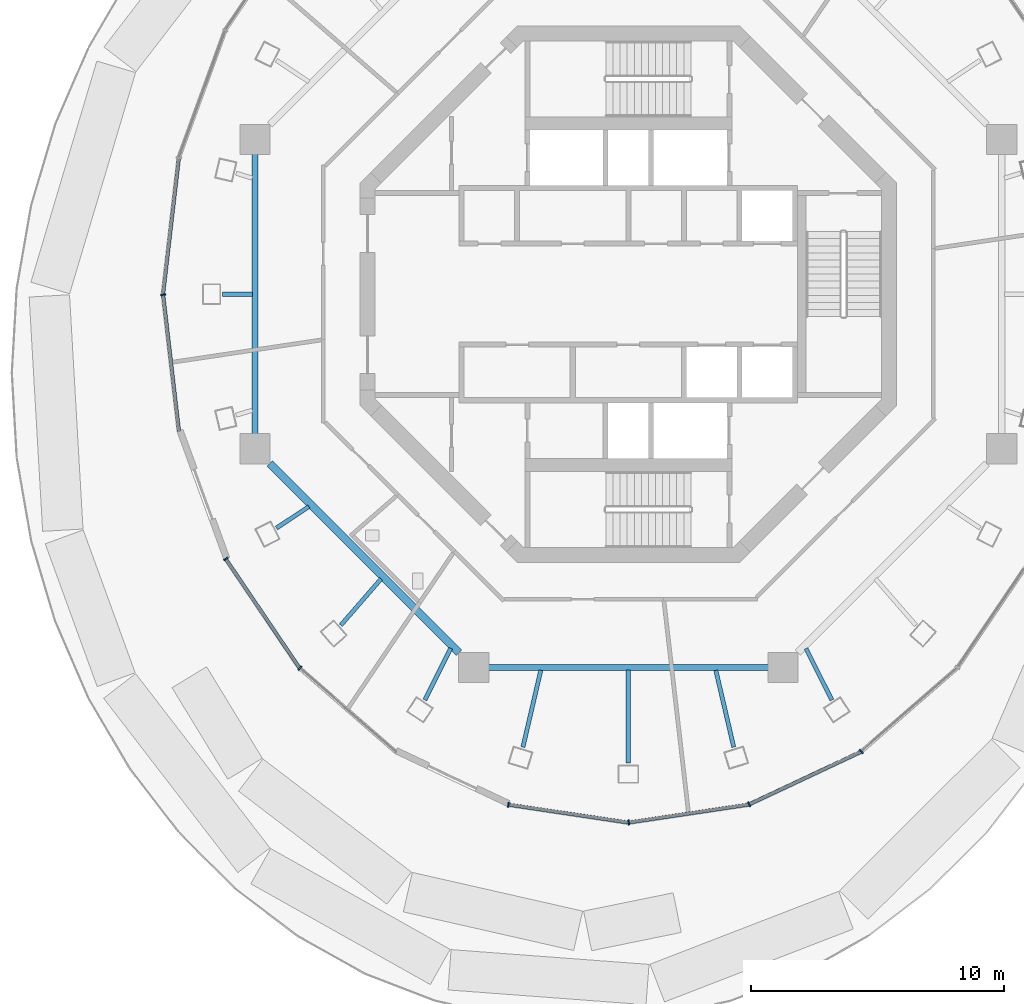
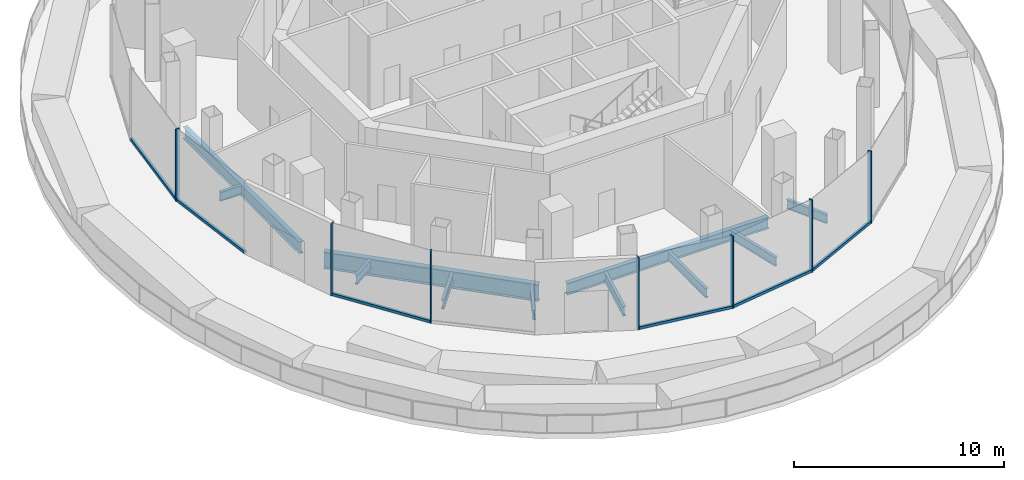
# One storey, part 2 of 12: 13 members, 11 beams, 8 elements without a shape of their own.
"""IFC4 building model written with IfcOpenShell, lengths in metres."""

from ifc_helpers import new_model, si_unit, direction, frame, origin, origin_2d, place, context, subcontext, project, spatial, rectangle, i_section, extrude, material, layer, layer_set, material_profile, profile_set, type_object, element, aggregate, save


model = new_model("IFC4")

# Units and contexts
model_context = context("Model", 3, precision=1e-05, world=origin(), true_north=direction((0.0, 1.0)))
body_context = subcontext(model_context, "Body", "Model", "MODEL_VIEW")
ifc_project = project(units=[si_unit("LENGTHUNIT", "METRE"), si_unit("AREAUNIT", "SQUARE_METRE"), si_unit("VOLUMEUNIT", "CUBIC_METRE"), si_unit("PLANEANGLEUNIT", "RADIAN"), si_unit("MASSUNIT", "GRAM", prefix="KILO")], contexts=[model_context])

# Site, building, storey
site_placement = place(None, origin())
site = spatial("IfcSite", under=ifc_project, at=site_placement, CompositionType="ELEMENT")
building_placement = place(site_placement, origin())
building = spatial("IfcBuilding", under=site, at=building_placement, Name="Nagisa Residences", CompositionType="ELEMENT")
storey_placement = place(building_placement, frame((0.0, 0.0, 315.89990234375)))
storey = spatial("IfcBuildingStorey", under=building, at=storey_placement, Name="L78", CompositionType="ELEMENT", Elevation=315.89990234375)

# Curtain wall, member
ifc_material_1 = material(Name="Aluminium curtain wall system", Category="aluminium")
ifc_layer = layer(ifc_material_1, 0.159912109375)
ifc_layer_set = layer_set([ifc_layer], Name="CW4 CURTAIN WALL")
curtain_wall_type = type_object("IfcCurtainWallType", Name="CW4 CURTAIN WALL", PredefinedType="NOTDEFINED", material=ifc_layer_set)
curtain_wall_1_placement = place(storey_placement, origin())
curtain_wall_1 = element("IfcCurtainWall", 1, at=curtain_wall_1_placement, inside=storey, type_object=curtain_wall_type, Name="cw:CW4:L78:12", PredefinedType="NOTDEFINED")
ifc_material_2 = material(Name="Aluminium", Category="aluminium")
ifc_material_profile_1 = material_profile(ifc_material_2, rectangle(XDim=0.199951171875, YDim=0.06005859375, at=origin_2d()), Name="CW4 MULLION 200x60")
ifc_profile_set_1 = profile_set([ifc_material_profile_1], Name="Aluminium")
member_type_1 = type_object("IfcMemberType", Name="CW4 MULLION 200x60", PredefinedType="MULLION", material=ifc_profile_set_1)
member_1_placement = place(storey_placement, frame((-18.4169921875, -0.0205078125, 0.0), z_axis=(0.0, 0.0, 1.0), x_axis=(0.993341467827, 0.115207327437, 0.0)))
member_1 = element("IfcMember", 2, at=member_1_placement, type_object=member_type_1, Name="CW4 mullion", PredefinedType="MULLION", context=body_context, shape_type="SweptSolid", body=[
    extrude(rectangle(XDim=0.199951171875, YDim=0.06005859375, at=origin_2d()), origin(), (0.0, 0.0, 1.0), 4.2001953125),
])

curtain_wall_2_placement = place(storey_placement, origin())
curtain_wall_2 = element("IfcCurtainWall", 3, at=curtain_wall_2_placement, inside=storey, type_object=curtain_wall_type, Name="cw:CW4:L78:14", PredefinedType="NOTDEFINED")
member_2_placement = place(storey_placement, frame((-15.9384765625, -10.47998046875, 0.0), z_axis=(0.0, 0.0, 1.0), x_axis=(0.828472554652, 0.560029665453, 0.0)))
member_2 = element("IfcMember", 4, at=member_2_placement, type_object=member_type_1, Name="CW4 mullion", PredefinedType="MULLION", context=body_context, shape_type="SweptSolid", body=[
    extrude(rectangle(XDim=0.199951171875, YDim=0.06005859375, at=origin_2d()), origin(), (0.0, 0.0, 1.0), 4.2001953125),
])

curtain_wall_3_placement = place(storey_placement, origin())
curtain_wall_3 = element("IfcCurtainWall", 5, at=curtain_wall_3_placement, inside=storey, type_object=curtain_wall_type, Name="cw:CW4:L78:15", PredefinedType="NOTDEFINED")
member_3_placement = place(storey_placement, frame((-13.00634765625, -14.80859375, 0.0), z_axis=(0.0, 0.0, 1.0), x_axis=(0.656803076821, 0.754062144839, 0.0)))
member_3 = element("IfcMember", 6, at=member_3_placement, type_object=member_type_1, Name="CW4 mullion", PredefinedType="MULLION", context=body_context, shape_type="SweptSolid", body=[
    extrude(rectangle(XDim=0.199951171875, YDim=0.06005859375, at=origin_2d()), origin(), (0.0, 0.0, 1.0), 4.2001953125),
])
aggregate(curtain_wall_3, [member_3])

curtain_wall_4_placement = place(storey_placement, origin())
curtain_wall_4 = element("IfcCurtainWall", 7, at=curtain_wall_4_placement, inside=storey, type_object=curtain_wall_type, Name="cw:CW4:L78:17", PredefinedType="NOTDEFINED")
member_4_placement = place(storey_placement, frame((-4.74658203125, -20.209716796875, 0.0), z_axis=(0.0, 0.0, 1.0), x_axis=(0.147802033939, 0.989016965862, 0.0)))
member_4 = element("IfcMember", 8, at=member_4_placement, type_object=member_type_1, Name="CW4 mullion", PredefinedType="MULLION", context=body_context, shape_type="SweptSolid", body=[
    extrude(rectangle(XDim=0.199951171875, YDim=0.06005859375, at=origin_2d()), origin(), (0.0, 0.0, 1.0), 4.2001953125),
])

curtain_wall_5_placement = place(storey_placement, origin())
curtain_wall_5 = element("IfcCurtainWall", 9, at=curtain_wall_5_placement, inside=storey, type_object=curtain_wall_type, Name="cw:CW4:L78:18", PredefinedType="NOTDEFINED")
member_5_placement = place(storey_placement, frame((0.017822265625, -20.91650390625, 0.0), z_axis=(0.0, 0.0, 1.0), x_axis=(-0.147802033939, 0.989016965862, 0.0)))
member_5 = element("IfcMember", 10, at=member_5_placement, type_object=member_type_1, Name="CW4 mullion", PredefinedType="MULLION", context=body_context, shape_type="SweptSolid", body=[
    extrude(rectangle(XDim=0.199951171875, YDim=0.06005859375, at=origin_2d()), origin(), (0.0, 0.0, 1.0), 4.2001953125),
])

curtain_wall_6_placement = place(storey_placement, origin())
curtain_wall_6 = element("IfcCurtainWall", 11, at=curtain_wall_6_placement, inside=storey, type_object=curtain_wall_type, Name="cw:CW4:L78:19", PredefinedType="NOTDEFINED")
member_6_placement = place(storey_placement, frame((4.78125, -20.19921875, 0.0), z_axis=(0.0, 0.0, 1.0), x_axis=(-0.425500757356, 0.90495806836, 0.0)))
member_6 = element("IfcMember", 12, at=member_6_placement, type_object=member_type_1, Name="CW4 mullion", PredefinedType="MULLION", context=body_context, shape_type="SweptSolid", body=[
    extrude(rectangle(XDim=0.199951171875, YDim=0.06005859375, at=origin_2d()), origin(), (0.0, 0.0, 1.0), 4.2001953125),
])

curtain_wall_7_placement = place(storey_placement, origin())
curtain_wall_7 = element("IfcCurtainWall", 13, at=curtain_wall_7_placement, inside=storey, type_object=curtain_wall_type, Name="cw:CW4:L78:20", PredefinedType="NOTDEFINED")
member_7_placement = place(storey_placement, frame((9.219970703125, -18.1064453125, 0.0), z_axis=(0.0, 0.0, 1.0), x_axis=(-0.656803076821, 0.754062144839, 0.0)))
member_7 = element("IfcMember", 14, at=member_7_placement, type_object=member_type_1, Name="CW4 mullion", PredefinedType="MULLION", context=body_context, shape_type="SweptSolid", body=[
    extrude(rectangle(XDim=0.199951171875, YDim=0.06005859375, at=origin_2d()), origin(), (0.0, 0.0, 1.0), 4.2001953125),
])
aggregate(curtain_wall_7, [member_7])

curtain_wall_8_placement = place(storey_placement, origin())
curtain_wall_8 = element("IfcCurtainWall", 15, at=curtain_wall_8_placement, inside=storey, type_object=curtain_wall_type, Name="cw:CW4:L78:11", PredefinedType="NOTDEFINED")
ifc_material_3 = material(Name="Aluminium", Category="aluminium")
ifc_material_profile_2 = material_profile(ifc_material_3, rectangle(XDim=0.139892578125, YDim=0.14990234375, at=origin_2d()), Name="CW4 TRANSOM 140x150")
ifc_profile_set_2 = profile_set([ifc_material_profile_2], Name="Aluminium")
member_type_2 = type_object("IfcMemberType", Name="CW4 TRANSOM 140x150", PredefinedType="USERDEFINED", material=ifc_profile_set_2)
member_8_placement = place(storey_placement, frame((-17.7900390625, 5.426025390625, 0.0751953125), z_axis=(-0.115249001686, -0.993336633579, 0.0), x_axis=(0.993336633579, -0.115249001686, 0.0)))
member_8 = element("IfcMember", 16, at=member_8_placement, type_object=member_type_2, Name="CW4 transom", ObjectType="TRANSOM", PredefinedType="USERDEFINED", context=body_context, shape_type="SweptSolid", body=[
    extrude(rectangle(XDim=0.139892578125, YDim=0.14990234375, at=origin_2d()), origin(), (0.0, 0.0, 1.0), 5.4716796875),
])
aggregate(curtain_wall_8, [member_8])

# Member
member_9_placement = place(storey_placement, frame((-18.420654296875, 0.00927734375, 0.0751953125), z_axis=(0.115249001686, -0.993336633579, 0.0), x_axis=(0.993336633579, 0.115249001686, 0.0)))
member_9 = element("IfcMember", 17, at=member_9_placement, type_object=member_type_2, Name="CW4 transom", ObjectType="TRANSOM", PredefinedType="USERDEFINED", context=body_context, shape_type="SweptSolid", body=[
    extrude(rectangle(XDim=0.139892578125, YDim=0.14990234375, at=origin_2d()), origin(), (0.0, 0.0, 1.0), 5.4716796875),
])

aggregate(curtain_wall_1, [member_1, member_9])

member_10_placement = place(storey_placement, frame((-15.955078125, -10.455078125, 0.0751953125), z_axis=(0.560011865881, -0.828484586503, 0.0), x_axis=(0.828484586503, 0.560011865881, 0.0)))
member_10 = element("IfcMember", 18, at=member_10_placement, type_object=member_type_2, Name="CW4 transom", ObjectType="TRANSOM", PredefinedType="USERDEFINED", context=body_context, shape_type="SweptSolid", body=[
    extrude(rectangle(XDim=0.139892578125, YDim=0.14990234375, at=origin_2d()), origin(), (0.0, 0.0, 1.0), 5.249755859375),
])

aggregate(curtain_wall_2, [member_2, member_10])

member_11_placement = place(storey_placement, frame((-4.7763671875, -20.205322265625, 0.0751953125), z_axis=(0.989016106921, -0.147807781429, 0.0), x_axis=(0.147807781429, 0.989016106921, 0.0)))
member_11 = element("IfcMember", 19, at=member_11_placement, type_object=member_type_2, Name="CW4 transom", ObjectType="TRANSOM", PredefinedType="USERDEFINED", context=body_context, shape_type="SweptSolid", body=[
    extrude(rectangle(XDim=0.139892578125, YDim=0.14990234375, at=origin_2d()), origin(), (0.0, 0.0, 1.0), 4.84130859375),
])

aggregate(curtain_wall_4, [member_4, member_11])

member_12_placement = place(storey_placement, frame((-0.01171875, -20.9208984375, 0.0751953125), z_axis=(0.989016106921, 0.147807781429, 0.0), x_axis=(-0.147807781429, 0.989016106921, 0.0)))
member_12 = element("IfcMember", 20, at=member_12_placement, type_object=member_type_2, Name="CW4 transom", ObjectType="TRANSOM", PredefinedType="USERDEFINED", context=body_context, shape_type="SweptSolid", body=[
    extrude(rectangle(XDim=0.139892578125, YDim=0.14990234375, at=origin_2d()), origin(), (0.0, 0.0, 1.0), 4.84130859375),
])

aggregate(curtain_wall_5, [member_5, member_12])

member_13_placement = place(storey_placement, frame((4.754150390625, -20.212158203125, 0.0751953125), z_axis=(0.904961168887, 0.425494163069, 0.0), x_axis=(-0.425494163069, 0.904961168887, 0.0)))
member_13 = element("IfcMember", 21, at=member_13_placement, type_object=member_type_2, Name="CW4 transom", ObjectType="TRANSOM", PredefinedType="USERDEFINED", context=body_context, shape_type="SweptSolid", body=[
    extrude(rectangle(XDim=0.139892578125, YDim=0.14990234375, at=origin_2d()), origin(), (0.0, 0.0, 1.0), 4.930419921875),
])

aggregate(curtain_wall_6, [member_6, member_13])

# Beams
ifc_material_4 = material(Name="Steel ASTM A572 Gr 50", Category="steel")
ifc_material_profile_3 = material_profile(ifc_material_4, i_section(OverallWidth=0.300048828125, OverallDepth=0.97998046875, WebThickness=0.0166015625, FlangeThickness=0.02587890625, at=origin_2d()), Name="W1000x249")
ifc_profile_set_3 = profile_set([ifc_material_profile_3], Name="Steel ASTM A572 Gr 50")
beam_type_1 = type_object("IfcBeamType", Name="Inner ring beam W1000x249", PredefinedType="BEAM", material=ifc_profile_set_3)
beam_1_placement = place(storey_placement, frame((-14.1962890625, -6.708740234375, -0.789794921875), z_axis=(0.707106781187, -0.707106781187, 0.0), x_axis=(0.707106781187, 0.707106781187, 0.0)))
element("IfcBeam", 22, at=beam_1_placement, inside=storey, type_object=beam_type_1, Name="beam:L78:ib5", PredefinedType="BEAM", context=body_context, shape_type="SweptSolid", body=[
    extrude(i_section(OverallWidth=0.300048828125, OverallDepth=0.97998046875, WebThickness=0.0166015625, FlangeThickness=0.02587890625, at=origin_2d()), origin(), (0.0, 0.0, 1.0), 10.589111328125),
])
ifc_material_5 = material(Name="Steel ASTM A572 Gr 50", Category="steel")
ifc_material_profile_4 = material_profile(ifc_material_5, i_section(OverallWidth=0.2529296875, OverallDepth=0.677978515625, WebThickness=0.01171875, FlangeThickness=0.016357421875, at=origin_2d()), Name="W690x125")
ifc_profile_set_4 = profile_set([ifc_material_profile_4], Name="Steel ASTM A572 Gr 50")
beam_type_2 = type_object("IfcBeamType", Name="Inner ring beam W690x125", PredefinedType="BEAM", material=ifc_profile_set_4)
for number, where, z_axis, x_axis, name in (
    (23, (-14.781982421875, 5.54296875, -0.638916015625), (0.0, -1.0, 0.0), (1.0, 0.0, 0.0), "beam:L78:ib4"),
    (24, (-5.54296875, -14.781982421875, -0.638916015625), (1.0, 0.0, 0.0), (0.0, 1.0, 0.0), "beam:L78:ib6"),
):
    element("IfcBeam", number, at=place(storey_placement, frame(where, z_axis=z_axis, x_axis=x_axis)), inside=storey, type_object=beam_type_2, Name=name, PredefinedType="BEAM", context=body_context, shape_type="SweptSolid", body=[
        extrude(i_section(OverallWidth=0.2529296875, OverallDepth=0.677978515625, WebThickness=0.01171875, FlangeThickness=0.016357421875, at=origin_2d()), origin(), (0.0, 0.0, 1.0), 11.0859375),
    ])
ifc_material_6 = material(Name="Steel ASTM A572 Gr 50", Category="steel")
ifc_material_profile_5 = material_profile(ifc_material_6, i_section(OverallWidth=0.166015625, OverallDepth=0.534912109375, WebThickness=0.01025390625, FlangeThickness=0.0166015625, at=origin_2d()), Name="W530x85")
ifc_profile_set_5 = profile_set([ifc_material_profile_5], Name="Steel ASTM A572 Gr 50")
beam_type_3 = type_object("IfcBeamType", Name="Radial beam W530x85", PredefinedType="BEAM", material=ifc_profile_set_5)
beam_2_placement = place(storey_placement, frame((-16.070068359375, 0.0, -0.5673828125), z_axis=(1.0, 0.0, 0.0), x_axis=(0.0, 1.0, 0.0)))
element("IfcBeam", 25, at=beam_2_placement, inside=storey, type_object=beam_type_3, Name="beam:L78:rb13", PredefinedType="BEAM", context=body_context, shape_type="SweptSolid", body=[
    extrude(i_section(OverallWidth=0.166015625, OverallDepth=0.534912109375, WebThickness=0.01025390625, FlangeThickness=0.0166015625, at=origin_2d()), origin(), (0.0, 0.0, 1.0), 1.181396484375),
])
beam_3_placement = place(storey_placement, frame((-13.9287109375, -9.260009765625, -0.5673828125), z_axis=(0.832782103527, 0.553600910445, 0.0), x_axis=(-0.553600910445, 0.832782103527, 0.0)))
element("IfcBeam", 26, at=beam_3_placement, inside=storey, type_object=beam_type_3, Name="beam:L78:rb15", PredefinedType="BEAM", context=body_context, shape_type="SweptSolid", body=[
    extrude(i_section(OverallWidth=0.166015625, OverallDepth=0.534912109375, WebThickness=0.01025390625, FlangeThickness=0.0166015625, at=origin_2d()), origin(), (0.0, 0.0, 1.0), 1.538330078125),
])
beam_4_placement = place(storey_placement, frame((-11.382568359375, -13.107177734375, -0.5673828125), z_axis=(0.655716746836, 0.755006985344, 0.0), x_axis=(-0.755006985344, 0.655716746836, 0.0)))
element("IfcBeam", 27, at=beam_4_placement, inside=storey, type_object=beam_type_3, Name="beam:L78:rb16", PredefinedType="BEAM", context=body_context, shape_type="SweptSolid", body=[
    extrude(i_section(OverallWidth=0.166015625, OverallDepth=0.534912109375, WebThickness=0.01025390625, FlangeThickness=0.0166015625, at=origin_2d()), origin(), (0.0, 0.0, 1.0), 2.434326171875),
])
beam_5_placement = place(storey_placement, frame((-8.055908203125, -16.067138671875, -0.5673828125), z_axis=(0.448239313997, 0.893913596153, 0.0), x_axis=(-0.893913596153, 0.448239313997, 0.0)))
element("IfcBeam", 28, at=beam_5_placement, inside=storey, type_object=beam_type_3, Name="beam:L78:rb17", PredefinedType="BEAM", context=body_context, shape_type="SweptSolid", body=[
    extrude(i_section(OverallWidth=0.166015625, OverallDepth=0.534912109375, WebThickness=0.01025390625, FlangeThickness=0.0166015625, at=origin_2d()), origin(), (0.0, 0.0, 1.0), 2.284423828125),
])
beam_6_placement = place(storey_placement, frame((-4.1728515625, -17.9326171875, -0.5673828125), z_axis=(0.226656564425, 0.973974743925, 0.0), x_axis=(-0.973974743925, 0.226656564425, 0.0)))
element("IfcBeam", 29, at=beam_6_placement, inside=storey, type_object=beam_type_3, Name="beam:L78:rb18", PredefinedType="BEAM", context=body_context, shape_type="SweptSolid", body=[
    extrude(i_section(OverallWidth=0.166015625, OverallDepth=0.534912109375, WebThickness=0.01025390625, FlangeThickness=0.0166015625, at=origin_2d()), origin(), (0.0, 0.0, 1.0), 3.124755859375),
])
beam_7_placement = place(storey_placement, frame((0.0, -18.570068359375, -0.5673828125), z_axis=(0.0, 1.0, 0.0), x_axis=(-1.0, 0.0, 0.0)))
element("IfcBeam", 30, at=beam_7_placement, inside=storey, type_object=beam_type_3, Name="beam:L78:rb19", PredefinedType="BEAM", context=body_context, shape_type="SweptSolid", body=[
    extrude(i_section(OverallWidth=0.166015625, OverallDepth=0.534912109375, WebThickness=0.01025390625, FlangeThickness=0.0166015625, at=origin_2d()), origin(), (0.0, 0.0, 1.0), 3.681396484375),
])
beam_8_placement = place(storey_placement, frame((4.1728515625, -17.9326171875, -0.5673828125), z_axis=(-0.226656564425, 0.973974743925, 0.0), x_axis=(-0.973974743925, -0.226656564425, 0.0)))
element("IfcBeam", 31, at=beam_8_placement, inside=storey, type_object=beam_type_3, Name="beam:L78:rb20", PredefinedType="BEAM", context=body_context, shape_type="SweptSolid", body=[
    extrude(i_section(OverallWidth=0.166015625, OverallDepth=0.534912109375, WebThickness=0.01025390625, FlangeThickness=0.0166015625, at=origin_2d()), origin(), (0.0, 0.0, 1.0), 3.124755859375),
])
beam_9_placement = place(storey_placement, frame((8.055908203125, -16.067138671875, -0.5673828125), z_axis=(-0.448239313997, 0.893913596153, 0.0), x_axis=(-0.893913596153, -0.448239313997, 0.0)))
element("IfcBeam", 32, at=beam_9_placement, inside=storey, type_object=beam_type_3, Name="beam:L78:rb21", PredefinedType="BEAM", context=body_context, shape_type="SweptSolid", body=[
    extrude(i_section(OverallWidth=0.166015625, OverallDepth=0.534912109375, WebThickness=0.01025390625, FlangeThickness=0.0166015625, at=origin_2d()), origin(), (0.0, 0.0, 1.0), 2.284423828125),
])

save(model, "model.ifc")
